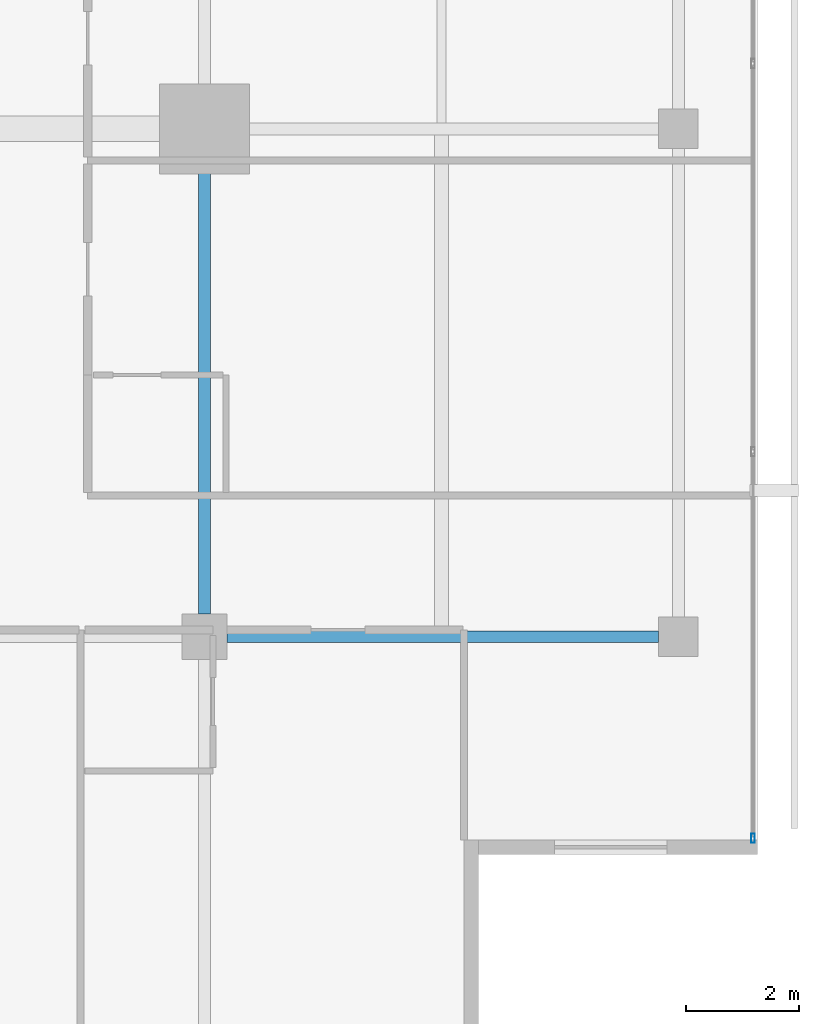
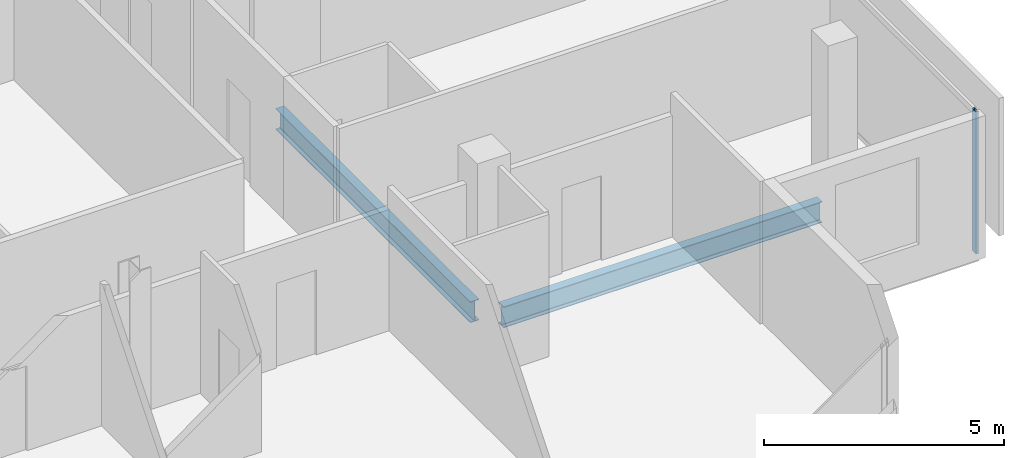
# One storey, part 11 of 25: 2 beams, 1 member, 1 element without a shape of its own.
"""IFC4 building model written with IfcOpenShell, lengths in metres."""

from ifc_helpers import new_model, si_unit, direction, frame, origin, origin_2d, place, context, subcontext, project, spatial, hollow_rectangle, i_section, extrude, material, layer, layer_set, material_profile, profile_set, type_object, element, aggregate, save


model = new_model("IFC4")

# Units and contexts
model_context = context("Model", 3, precision=1e-05, world=origin(), true_north=direction((0.0, 1.0)))
body_context = subcontext(model_context, "Body", "Model", "MODEL_VIEW")
ifc_project = project(units=[si_unit("LENGTHUNIT", "METRE"), si_unit("AREAUNIT", "SQUARE_METRE"), si_unit("VOLUMEUNIT", "CUBIC_METRE"), si_unit("PLANEANGLEUNIT", "RADIAN"), si_unit("MASSUNIT", "GRAM", prefix="KILO")], contexts=[model_context])

# Site, building, storey
site_placement = place(None, origin())
site = spatial("IfcSite", under=ifc_project, at=site_placement, CompositionType="ELEMENT")
building_placement = place(site_placement, origin())
building = spatial("IfcBuilding", under=site, at=building_placement, Name="Maruvema Waterfront Hotel and Observation Tower", CompositionType="ELEMENT")
storey_placement = place(building_placement, frame((0.0, 0.0, 270.199951171875)))
storey = spatial("IfcBuildingStorey", under=building, at=storey_placement, Name="L66", CompositionType="ELEMENT", Elevation=270.199951171875)

# Curtain wall, member
ifc_material_1 = material(Name="Anodised bronze aluminium and solar-control low-E IGU", Category="aluminium")
ifc_layer = layer(ifc_material_1, 0.159912109375, Name="Zone 3 Champagne Inner Thermal Curtain Wall System CW-04")
ifc_layer_set = layer_set([ifc_layer], Name="Anodised bronze aluminium and solar-control low-E IGU")
curtain_wall_type = type_object("IfcCurtainWallType", Name="Zone 3 Champagne Inner Thermal Curtain Wall System CW-04", PredefinedType="USERDEFINED", material=ifc_layer_set)
curtain_wall_placement = place(storey_placement, origin())
curtain_wall = element("IfcCurtainWall", 1, at=curtain_wall_placement, inside=storey, type_object=curtain_wall_type, Name="L66 Curtain Wall CW-L66-E", ObjectType="UNITISED CURTAIN WALL", PredefinedType="USERDEFINED")
ifc_material_2 = material(Name="Anodised architectural bronze aluminium", Category="aluminium")
ifc_material_profile_1 = material_profile(ifc_material_2, hollow_rectangle(XDim=0.06494140625, YDim=0.1650390625, WallThickness=0.00390625, at=origin_2d()), Name="ALU-M65x165")
ifc_profile_set_1 = profile_set([ifc_material_profile_1], Name="Anodised architectural bronze aluminium")
member_type = type_object("IfcMemberType", Name="Curtain Wall Primary Mullion ALU-M65x165", PredefinedType="MULLION", material=ifc_profile_set_1)
member_placement = place(storey_placement, frame((60.1201171875, 14.429931640625, 0.0), z_axis=(0.0, 0.0, 1.0), x_axis=(-1.0, 0.0, 0.0)))
member = element("IfcMember", 2, at=member_placement, type_object=member_type, Name="CW-04 mullion 1", PredefinedType="MULLION", context=body_context, shape_type="SweptSolid", body=[
    extrude(hollow_rectangle(XDim=0.06494140625, YDim=0.1650390625, WallThickness=0.00390625, at=origin_2d()), origin(), (0.0, 0.0, 1.0), 3.610107421875),
])
aggregate(curtain_wall, [member])

# Beams
ifc_material_3 = material(Name="Steel ASTM A572 Grade 50", Category="steel")
ifc_material_profile_2 = material_profile(ifc_material_3, i_section(OverallWidth=0.208984375, OverallDepth=0.532958984375, WebThickness=0.01025390625, FlangeThickness=0.015625, FilletRadius=0.014892578125, at=origin_2d()), Name="W530x92.0")
ifc_profile_set_2 = profile_set([ifc_material_profile_2], Name="Steel ASTM A572 Grade 50")
beam_type = type_object("IfcBeamType", Name="Primary Floor Girder W530x92.0", PredefinedType="BEAM", material=ifc_profile_set_2)
beam_1_placement = place(storey_placement, frame((50.800048828125, 18.0, -0.50634765625), z_axis=(1.0, 0.0, 0.0), x_axis=(0.0, 1.0, 0.0)))
element("IfcBeam", 3, at=beam_1_placement, inside=storey, type_object=beam_type, Name="L66 Floor Girder EW-08", PredefinedType="BEAM", context=body_context, shape_type="SweptSolid", body=[
    extrude(i_section(OverallWidth=0.208984375, OverallDepth=0.532958984375, WebThickness=0.01025390625, FlangeThickness=0.015625, FilletRadius=0.014892578125, at=origin_2d()), origin(), (0.0, 0.0, 1.0), 7.64990234375),
])
beam_2_placement = place(storey_placement, frame((50.39990234375, 18.39990234375, -0.50634765625), z_axis=(0.0, 1.0, 0.0), x_axis=(-1.0, 0.0, 0.0)))
element("IfcBeam", 4, at=beam_2_placement, inside=storey, type_object=beam_type, Name="L66 Floor Girder NS-13", PredefinedType="BEAM", context=body_context, shape_type="SweptSolid", body=[
    extrude(i_section(OverallWidth=0.208984375, OverallDepth=0.532958984375, WebThickness=0.01025390625, FlangeThickness=0.015625, FilletRadius=0.014892578125, at=origin_2d()), origin(), (0.0, 0.0, 1.0), 8.10009765625),
])

save(model, "model.ifc")
